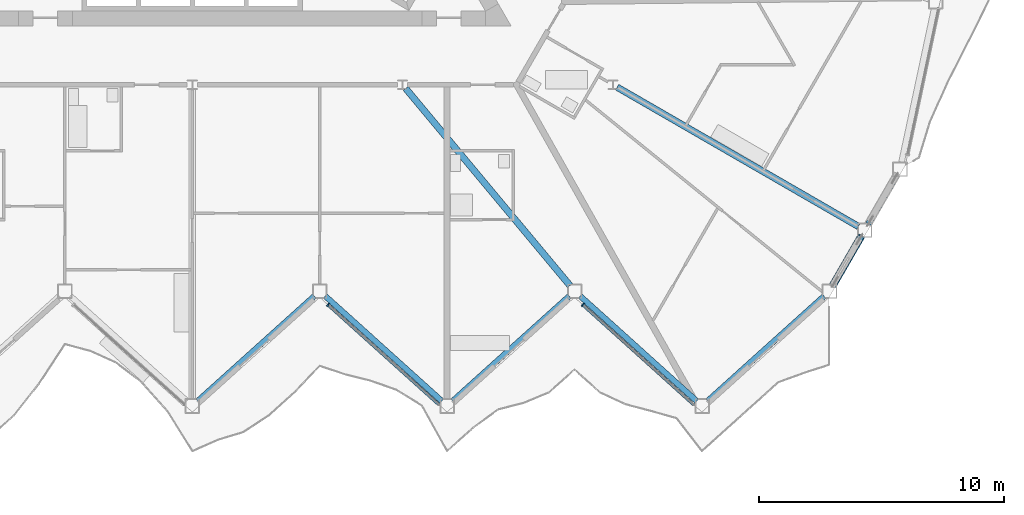
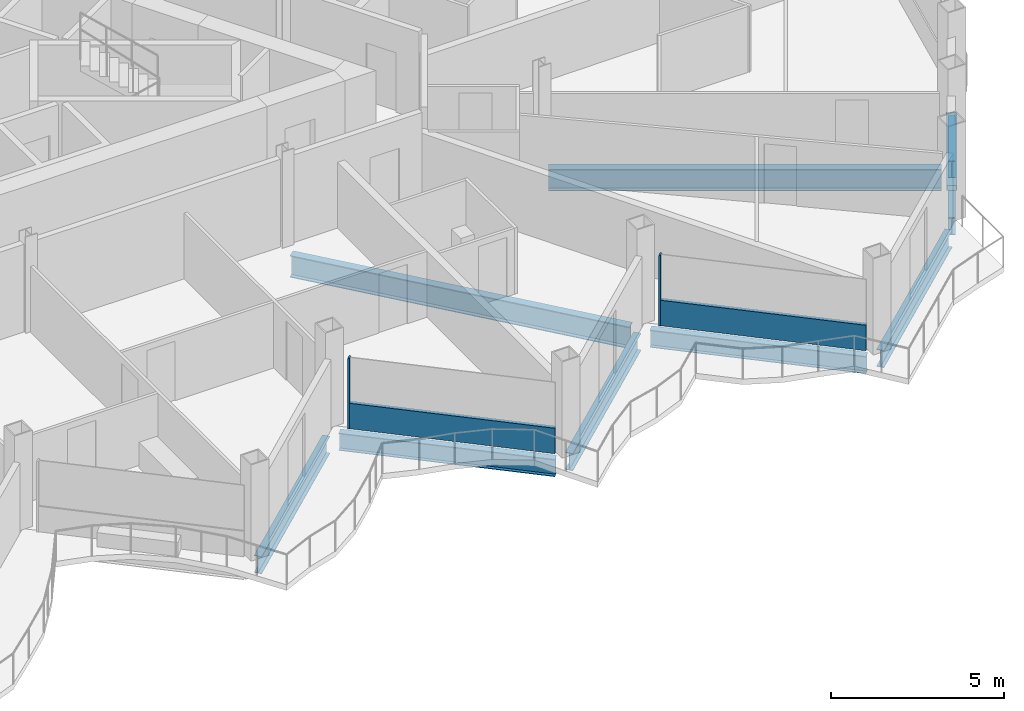
# One storey, part 7 of 27: 9 beams, 5 members, 2 elements without a shape of their own.
"""IFC4 building model written with IfcOpenShell, lengths in metres."""

from ifc_helpers import new_model, si_unit, direction, frame, origin, origin_2d, place, context, subcontext, project, spatial, rectangle, hollow_rectangle, i_section, extrude, material, layer, layer_set, material_profile, profile_set, type_object, element, aggregate, save


model = new_model("IFC4")

# Units and contexts
model_context = context("Model", 3, precision=1e-05, world=origin(), true_north=direction((0.0, 1.0)))
body_context = subcontext(model_context, "Body", "Model", "MODEL_VIEW")
ifc_project = project(units=[si_unit("LENGTHUNIT", "METRE"), si_unit("AREAUNIT", "SQUARE_METRE"), si_unit("VOLUMEUNIT", "CUBIC_METRE"), si_unit("PLANEANGLEUNIT", "RADIAN"), si_unit("MASSUNIT", "GRAM", prefix="KILO")], contexts=[model_context])

# Site, building, storey
site_placement = place(None, origin())
site = spatial("IfcSite", under=ifc_project, at=site_placement, CompositionType="ELEMENT")
building_placement = place(site_placement, origin())
building = spatial("IfcBuilding", under=site, at=building_placement, Name="Cormorant Prow Tower", CompositionType="ELEMENT")
storey_placement = place(building_placement, frame((0.0, 0.0, 335.800048828125)))
storey = spatial("IfcBuildingStorey", under=building, at=storey_placement, Name="L75", CompositionType="ELEMENT", Elevation=335.800048828125)

# Member
ifc_material_1 = material(Name="Structural steel ASTM A500 Gr C", Category="steel")
ifc_material_profile_1 = material_profile(ifc_material_1, hollow_rectangle(XDim=0.3046875, YDim=0.3046875, WallThickness=0.01171875, at=origin_2d()), Name="HSS12x12x1/2")
ifc_profile_set_1 = profile_set([ifc_material_profile_1], Name="Structural steel ASTM A500 Gr C")
member_type_1 = type_object("IfcMemberType", Name="Chamfer brace HSS12x12x1/2", PredefinedType="BRACE", material=ifc_profile_set_1)
member_1_placement = place(storey_placement, frame((26.15283203125, -18.05419921875, 0.740966796875), z_axis=(0.456247183882, 0.790292391402, 0.408994429415), x_axis=(-0.866038851724, 0.499976706761, 0.0)))
element("IfcMember", 1, at=member_1_placement, inside=storey, type_object=member_type_1, Name="Chamfer brace BR3 at ESE00 L75", PredefinedType="BRACE", context=body_context, shape_type="SweptSolid", body=[
    extrude(hollow_rectangle(XDim=0.3046875, YDim=0.3046875, WallThickness=0.01171875, at=origin_2d()), origin(), (0.0, 0.0, 1.0), 2.459228515625),
])

# Beams
ifc_material_2 = material(Name="Structural steel ASTM A992 Gr 50", Category="steel")
ifc_material_profile_2 = material_profile(ifc_material_2, i_section(OverallWidth=0.267822265625, OverallDepth=0.77001953125, WebThickness=0.015625, FlangeThickness=0.025390625, at=origin_2d()), Name="W30x132")
ifc_profile_set_2 = profile_set([ifc_material_profile_2], Name="Structural steel ASTM A992 Gr 50")
beam_type_1 = type_object("IfcBeamType", Name="Radial floor beam W30x132", PredefinedType="BEAM", material=ifc_profile_set_2)
beam_1_placement = place(storey_placement, frame((8.705078125, -10.057373046875, -0.68505859375), z_axis=(0.640239469619, -0.768175384624, 0.0), x_axis=(0.768175384624, 0.640239469619, 0.0)))
element("IfcBeam", 2, at=beam_1_placement, inside=storey, type_object=beam_type_1, Name="Radial floor beam FB3 8 L75", PredefinedType="BEAM", context=body_context, shape_type="SweptSolid", body=[
    extrude(i_section(OverallWidth=0.267822265625, OverallDepth=0.77001953125, WebThickness=0.015625, FlangeThickness=0.025390625, at=origin_2d()), origin(), (0.0, 0.0, 1.0), 10.465087890625),
])
beam_2_placement = place(storey_placement, frame((17.328125, -10.00439453125, -0.68505859375), z_axis=(0.866024637028, -0.500001328059, 0.0), x_axis=(0.500001328059, 0.866024637028, 0.0)))
element("IfcBeam", 3, at=beam_2_placement, inside=storey, type_object=beam_type_1, Name="Radial floor beam FB3 9 L75", PredefinedType="BEAM", context=body_context, shape_type="SweptSolid", body=[
    extrude(i_section(OverallWidth=0.267822265625, OverallDepth=0.77001953125, WebThickness=0.015625, FlangeThickness=0.025390625, at=origin_2d()), origin(), (0.0, 0.0, 1.0), 11.3671875),
])

# Curtain wall, member
ifc_material_3 = material(Name="Aluminium 6063-T6", Category="aluminium")
ifc_layer = layer(ifc_material_3, 0.159912109375)
ifc_layer_set = layer_set([ifc_layer], Name="Aluminium 6063-T6")
curtain_wall_type = type_object("IfcCurtainWallType", Name="Residential unitised curtain wall 160", PredefinedType="NOTDEFINED", material=ifc_layer_set)
curtain_wall_1_placement = place(storey_placement, origin())
curtain_wall_1 = element("IfcCurtainWall", 4, at=curtain_wall_1_placement, inside=storey, type_object=curtain_wall_type, Name="Residential curtain wall S06", PredefinedType="NOTDEFINED")
ifc_material_4 = material(Name="Aluminium 6063-T6", Category="aluminium")
ifc_material_profile_3 = material_profile(ifc_material_4, rectangle(XDim=0.159912109375, YDim=0.050048828125, at=origin_2d()), Name="Residential mullion 50x160")
ifc_profile_set_3 = profile_set([ifc_material_profile_3], Name="Aluminium 6063-T6")
member_type_2 = type_object("IfcMemberType", Name="Residential mullion 50x160", PredefinedType="MULLION", material=ifc_profile_set_3)
member_2_placement = place(storey_placement, frame((5.537353515625, -18.885009765625, 0.0), z_axis=(0.0, 0.0, 1.0), x_axis=(0.669130588628, 0.743144841442, 0.0)))
member_2 = element("IfcMember", 5, at=member_2_placement, type_object=member_type_2, Name="Residential mullion S06", PredefinedType="MULLION", context=body_context, shape_type="SweptSolid", body=[
    extrude(rectangle(XDim=0.159912109375, YDim=0.050048828125, at=origin_2d()), origin(), (0.0, 0.0, 1.0), 2.48779296875),
])

curtain_wall_2_placement = place(storey_placement, origin())
curtain_wall_2 = element("IfcCurtainWall", 6, at=curtain_wall_2_placement, inside=storey, type_object=curtain_wall_type, Name="Residential curtain wall S08", PredefinedType="NOTDEFINED")
member_3_placement = place(storey_placement, frame((15.929931640625, -18.885009765625, 0.0), z_axis=(0.0, 0.0, 1.0), x_axis=(0.669130588628, 0.743144841442, 0.0)))
member_3 = element("IfcMember", 7, at=member_3_placement, type_object=member_type_2, Name="Residential mullion S08", PredefinedType="MULLION", context=body_context, shape_type="SweptSolid", body=[
    extrude(rectangle(XDim=0.159912109375, YDim=0.050048828125, at=origin_2d()), origin(), (0.0, 0.0, 1.0), 2.48779296875),
])

# Member
ifc_material_5 = material(Name="Terracotta", Category="masonry")
ifc_material_profile_4 = material_profile(ifc_material_5, rectangle(XDim=0.1201171875, YDim=0.89990234375, at=origin_2d()), Name="Residential terracotta spandrel rail 120x900")
ifc_profile_set_4 = profile_set([ifc_material_profile_4], Name="Terracotta")
member_type_3 = type_object("IfcMemberType", Name="Residential terracotta spandrel rail 120x900", PredefinedType="USERDEFINED", material=ifc_profile_set_4)
member_4_placement = place(storey_placement, frame((5.555908203125, -18.901611328125, 0.449951171875), z_axis=(0.743154234406, -0.669120156538, 0.0), x_axis=(0.669120156538, 0.743154234406, 0.0)))
member_4 = element("IfcMember", 8, at=member_4_placement, type_object=member_type_3, Name="Residential spandrel rail S06", ObjectType="TRANSOM", PredefinedType="USERDEFINED", context=body_context, shape_type="SweptSolid", body=[
    extrude(rectangle(XDim=0.1201171875, YDim=0.89990234375, at=origin_2d()), origin(), (0.0, 0.0, 1.0), 6.07421875),
])

aggregate(curtain_wall_1, [member_2, member_4])

member_5_placement = place(storey_placement, frame((15.948486328125, -18.901611328125, 0.449951171875), z_axis=(0.743154234406, -0.669120156538, 0.0), x_axis=(0.669120156538, 0.743154234406, 0.0)))
member_5 = element("IfcMember", 9, at=member_5_placement, type_object=member_type_3, Name="Residential spandrel rail S08", ObjectType="TRANSOM", PredefinedType="USERDEFINED", context=body_context, shape_type="SweptSolid", body=[
    extrude(rectangle(XDim=0.1201171875, YDim=0.89990234375, at=origin_2d()), origin(), (0.0, 0.0, 1.0), 6.07421875),
])

aggregate(curtain_wall_2, [member_3, member_5])

# Beams
ifc_material_6 = material(Name="Structural steel ASTM A992 Gr 50", Category="steel")
ifc_material_profile_5 = material_profile(ifc_material_6, i_section(OverallWidth=0.22900390625, OverallDepth=0.612060546875, WebThickness=0.011962890625, FlangeThickness=0.01953125, at=origin_2d()), Name="W24x84")
ifc_profile_set_5 = profile_set([ifc_material_profile_5], Name="Structural steel ASTM A992 Gr 50")
beam_type_2 = type_object("IfcBeamType", Name="Spandrel beam W24x84", PredefinedType="SPANDREL", material=ifc_profile_set_5)
for number, where, z_axis, x_axis, name in (
    (10, (0.222900390625, -22.807373046875, -0.606201171875), (0.743144186555, 0.669131315954, 0.0), (-0.669131315954, 0.743144186555, 0.0), "Spandrel beam SB3 S05-S06 L75"),
    (11, (5.422119140625, -18.527587890625, -0.606201171875), (0.743144186555, -0.669131315954, 0.0), (0.669131315954, 0.743144186555, 0.0), "Spandrel beam SB3 S06-S07 L75"),
    (12, (10.62109375, -22.807373046875, -0.606201171875), (0.743144186555, 0.669131315954, 0.0), (-0.669131315954, 0.743144186555, 0.0), "Spandrel beam SB3 S07-S08 L75"),
):
    element("IfcBeam", number, at=place(storey_placement, frame(where, z_axis=z_axis, x_axis=x_axis)), inside=storey, type_object=beam_type_2, Name=name, PredefinedType="SPANDREL", context=body_context, shape_type="SweptSolid", body=[
        extrude(i_section(OverallWidth=0.22900390625, OverallDepth=0.612060546875, WebThickness=0.011962890625, FlangeThickness=0.01953125, at=origin_2d()), origin(), (0.0, 0.0, 1.0), 6.39599609375),
    ])
beam_3_placement = place(storey_placement, frame((15.820068359375, -18.527587890625, -0.606201171875), z_axis=(0.743161276225, -0.669112335502, 0.0), x_axis=(0.669112335502, 0.743161276225, 0.0)))
element("IfcBeam", 13, at=beam_3_placement, inside=storey, type_object=beam_type_2, Name="Spandrel beam SB3 S08-S09 L75", PredefinedType="SPANDREL", context=body_context, shape_type="SweptSolid", body=[
    extrude(i_section(OverallWidth=0.22900390625, OverallDepth=0.612060546875, WebThickness=0.011962890625, FlangeThickness=0.01953125, at=origin_2d()), origin(), (0.0, 0.0, 1.0), 6.396240234375),
])
beam_4_placement = place(storey_placement, frame((21.019287109375, -22.807373046875, -0.606201171875), z_axis=(0.743144186555, 0.669131315954, 0.0), x_axis=(-0.669131315954, 0.743144186555, 0.0)))
element("IfcBeam", 14, at=beam_4_placement, inside=storey, type_object=beam_type_2, Name="Spandrel beam SB3 S09-ESE00 L75", PredefinedType="SPANDREL", context=body_context, shape_type="SweptSolid", body=[
    extrude(i_section(OverallWidth=0.22900390625, OverallDepth=0.612060546875, WebThickness=0.011962890625, FlangeThickness=0.01953125, at=origin_2d()), origin(), (0.0, 0.0, 1.0), 6.39599609375),
])
beam_5_placement = place(storey_placement, frame((26.1455078125, -18.06689453125, -0.606201171875), z_axis=(0.49997342893, 0.866040744055, 0.0), x_axis=(-0.866040744055, 0.49997342893, 0.0)))
element("IfcBeam", 15, at=beam_5_placement, inside=storey, type_object=beam_type_2, Name="Spandrel beam SB3 ESE00-ESE01 L75", PredefinedType="SPANDREL", context=body_context, shape_type="SweptSolid", body=[
    extrude(i_section(OverallWidth=0.22900390625, OverallDepth=0.612060546875, WebThickness=0.011962890625, FlangeThickness=0.01953125, at=origin_2d()), origin(), (0.0, 0.0, 1.0), 2.2734375),
])
beam_6_placement = place(storey_placement, frame((27.582275390625, -15.578125, -0.606201171875), z_axis=(0.500053962254, 0.865994246421, 0.0), x_axis=(-0.865994246421, 0.500053962254, 0.0)))
element("IfcBeam", 16, at=beam_6_placement, inside=storey, type_object=beam_type_2, Name="Spandrel beam SB3 ESE01-ENE00 L75", PredefinedType="SPANDREL", context=body_context, shape_type="SweptSolid", body=[
    extrude(i_section(OverallWidth=0.22900390625, OverallDepth=0.612060546875, WebThickness=0.011962890625, FlangeThickness=0.01953125, at=origin_2d()), origin(), (0.0, 0.0, 1.0), 2.273681640625),
])

save(model, "model.ifc")
